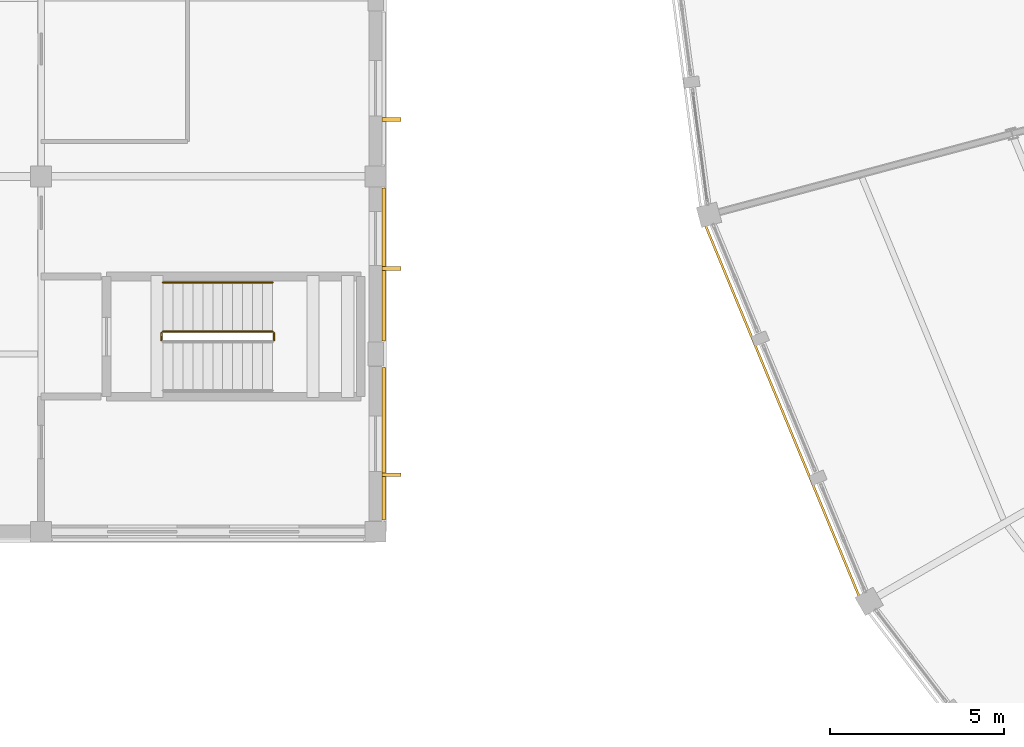
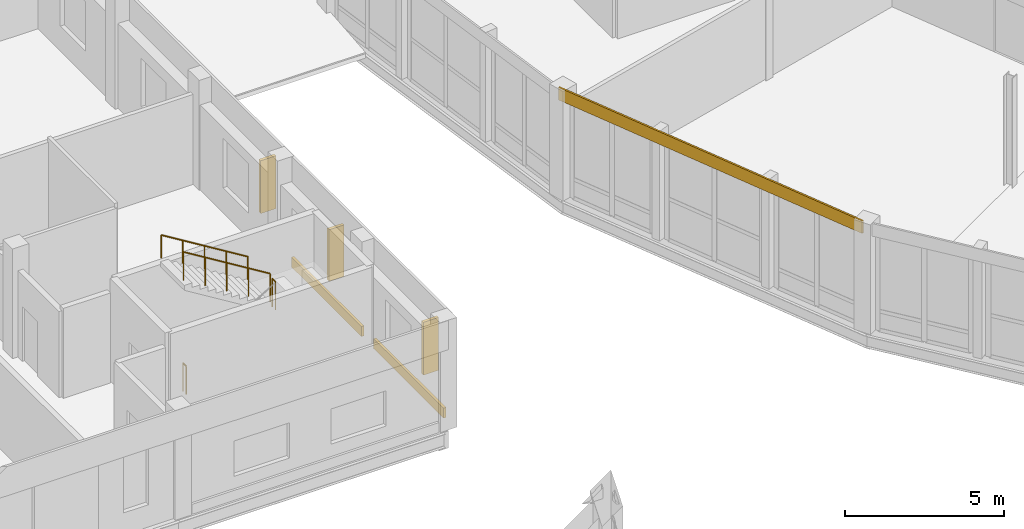
# One storey, part 157 of 170: 4 railings, 3 coverings, 3 shading devices.
"""IFC4 building model written with IfcOpenShell, lengths in metres."""

from ifc_helpers import new_model, si_unit, direction, frame, origin, origin_2d, place, context, subcontext, project, spatial, rectangle, circle, extrude, material, layer, layer_set, type_object, element, save


model = new_model("IFC4")

# Units and contexts
model_context = context("Model", 3, precision=1e-05, world=origin(), true_north=direction((0.0, 1.0)))
body_context = subcontext(model_context, "Body", "Model", "MODEL_VIEW")
ifc_project = project(units=[si_unit("LENGTHUNIT", "METRE"), si_unit("AREAUNIT", "SQUARE_METRE"), si_unit("VOLUMEUNIT", "CUBIC_METRE"), si_unit("PLANEANGLEUNIT", "RADIAN"), si_unit("MASSUNIT", "GRAM", prefix="KILO")], contexts=[model_context])

# Site, building, storey
site_placement = place(None, origin())
site = spatial("IfcSite", under=ifc_project, at=site_placement, CompositionType="ELEMENT")
building_placement = place(site_placement, origin())
building = spatial("IfcBuilding", under=site, at=building_placement, Name="Vondelvale Polytechnic", CompositionType="ELEMENT")
storey_placement = place(building_placement, frame((0.0, 0.0, 5.39990234375)))
storey = spatial("IfcBuildingStorey", under=building, at=storey_placement, Name="L01", CompositionType="ELEMENT", Elevation=5.39990234375)

# Coverings
ifc_material_1 = material(Name="Amsterdam School iron-spot clinker clay brickwork", Category="masonry")
ifc_layer_1 = layer(ifc_material_1, 0.090087890625)
ifc_layer_set_1 = layer_set([ifc_layer_1], Name="COV-BRICK-RELIEF")
covering_type_1 = type_object("IfcCoveringType", Name="COV-BRICK-RELIEF", PredefinedType="CLADDING", material=ifc_layer_set_1)
for number, where, z_axis, x_axis, name in (
    (1, (48.23095703125, 53.52490234375, 0.000244140625), (0.0, 0.0, 1.0), (0.0, -1.0, 0.0), "L01 exterior corbelled masonry relief band"),
    (2, (48.23095703125, 58.675048828125, 0.000244140625), (0.0, 0.0, 1.0), (0.0, -1.0, 0.0), "L01 exterior corbelled masonry relief band"),
):
    element("IfcCovering", number, at=place(storey_placement, frame(where, z_axis=z_axis, x_axis=x_axis)), inside=storey, type_object=covering_type_1, Name=name, PredefinedType="CLADDING", context=body_context, shape_type="SweptSolid", body=[
        extrude(rectangle(XDim=4.387939453125, YDim=0.090087890625, at=origin_2d()), origin(), (0.0, 0.0, 1.0), 0.3798828125),
    ])
ifc_material_2 = material(Name="Engineered Tasmanian oak studio and bridge joinery")
ifc_layer_2 = layer(ifc_material_2, 0.06494140625)
ifc_layer_set_2 = layer_set([ifc_layer_2], Name="COV-OAK-SPANDREL")
covering_type_2 = type_object("IfcCoveringType", Name="COV-OAK-SPANDREL", PredefinedType="CLADDING", material=ifc_layer_set_2)
covering_placement = place(storey_placement, frame((59.67041015625, 54.466552734375, 3.72021484375), z_axis=(0.0, 0.0, 1.0), x_axis=(0.382683432365, -0.923879532511, 0.0)))
element("IfcCovering", 3, at=covering_placement, inside=storey, type_object=covering_type_2, Name="L01 exterior masonry spandrel band", PredefinedType="CLADDING", context=body_context, shape_type="SweptSolid", body=[
    extrude(rectangle(XDim=12.00830078125, YDim=0.06494140625, at=origin_2d()), origin(), (0.0, 0.0, 1.0), 0.47998046875),
])

# Railings
ifc_material_3 = material(Name="Brushed architectural stainless and zinc-coated metal")
ifc_layer_3 = layer(ifc_material_3, 0.050048828125)
ifc_layer_set_3 = layer_set([ifc_layer_3], Name="RL-STAIR-GUARD")
railing_type_1 = type_object("IfcRailingType", Name="RL-STAIR-GUARD", PredefinedType="GUARDRAIL", material=ifc_layer_set_3)
railing_1_placement = place(storey_placement, frame((45.0849609375, 56.5, 2.10009765625)))
element("IfcRailing", 4, at=railing_1_placement, inside=storey, type_object=railing_type_1, Name="L01 ST-01 stair guard 2", PredefinedType="GUARDRAIL", context=body_context, shape_type="SweptSolid", body=[
    extrude(circle(Radius=0.02392578125, at=origin_2d()), frame((0.0, 0.0, 1.076171875), z_axis=(0.0, 1.0, 0.0), x_axis=(-1.0, 0.0, 0.0)), (0.0, 0.0, 1.0), 0.199951171875),
    extrude(circle(Radius=0.02099609375, at=origin_2d()), origin(), (0.0, 0.0, 1.0), 1.052001953125),
    extrude(circle(Radius=0.02099609375, at=origin_2d()), frame((0.0, 0.199951171875, 0.0)), (0.0, 0.0, 1.0), 1.052001953125),
])
railing_2_placement = place(storey_placement, frame((45.034912109375, 56.75, 2.275146484375)))
element("IfcRailing", 5, at=railing_2_placement, inside=storey, type_object=railing_type_1, Name="L01 ST-01 stair guard 3", PredefinedType="GUARDRAIL", context=body_context, shape_type="SweptSolid", body=[
    extrude(circle(Radius=0.02392578125, at=origin_2d()), frame((0.0, 0.0, 1.076171875), z_axis=(-0.852166034122, 0.0, 0.523271488128), x_axis=(0.0, -1.0, 0.0)), (0.0, 0.0, 1.0), 3.678955078125),
    extrude(circle(Radius=0.02099609375, at=origin_2d()), origin(), (0.0, 0.0, 1.0), 1.052001953125),
    extrude(circle(Radius=0.02099609375, at=origin_2d()), frame((-0.78369140625, 0.0, 0.481201171875)), (0.0, 0.0, 1.0), 1.052001953125),
    extrude(circle(Radius=0.02099609375, at=origin_2d()), frame((-1.5673828125, 0.0, 0.96240234375)), (0.0, 0.0, 1.0), 1.052001953125),
    extrude(circle(Radius=0.02099609375, at=origin_2d()), frame((-2.351318359375, 0.0, 1.44384765625)), (0.0, 0.0, 1.0), 1.052001953125),
    extrude(circle(Radius=0.02099609375, at=origin_2d()), frame((-3.135009765625, 0.0, 1.925048828125)), (0.0, 0.0, 1.0), 1.052001953125),
])
railing_3_placement = place(storey_placement, frame((41.85009765625, 56.5, 0.0)))
element("IfcRailing", 6, at=railing_3_placement, inside=storey, type_object=railing_type_1, Name="L01 ST-01 stair guard 4", PredefinedType="GUARDRAIL", context=body_context, shape_type="SweptSolid", body=[
    extrude(circle(Radius=0.02392578125, at=origin_2d()), frame((0.0, 0.0, 1.076171875), z_axis=(0.0, 1.0, 0.0), x_axis=(-1.0, 0.0, 0.0)), (0.0, 0.0, 1.0), 0.199951171875),
    extrude(circle(Radius=0.02099609375, at=origin_2d()), origin(), (0.0, 0.0, 1.0), 1.052001953125),
    extrude(circle(Radius=0.02099609375, at=origin_2d()), frame((0.0, 0.199951171875, 0.0)), (0.0, 0.0, 1.0), 1.052001953125),
])
ifc_layer_4 = layer(ifc_material_3, 0.048095703125)
ifc_layer_set_4 = layer_set([ifc_layer_4], Name="RL-STAIR-HANDRAIL")
railing_type_2 = type_object("IfcRailingType", Name="RL-STAIR-HANDRAIL", PredefinedType="HANDRAIL", material=ifc_layer_set_4)
railing_4_placement = place(storey_placement, frame((45.034912109375, 58.14990234375, 2.275146484375)))
element("IfcRailing", 7, at=railing_4_placement, inside=storey, type_object=railing_type_2, Name="L01 ST-01 stair handrail 2", PredefinedType="HANDRAIL", context=body_context, shape_type="SweptSolid", body=[
    extrude(circle(Radius=0.02392578125, at=origin_2d()), frame((0.0, 0.0, 0.8759765625), z_axis=(-0.852166034122, 0.0, 0.523271488128), x_axis=(0.0, -1.0, 0.0)), (0.0, 0.0, 1.0), 3.678955078125),
    extrude(circle(Radius=0.02099609375, at=origin_2d()), origin(), (0.0, 0.0, 1.0), 0.851806640625),
    extrude(circle(Radius=0.02099609375, at=origin_2d()), frame((-0.78369140625, 0.0, 0.481201171875)), (0.0, 0.0, 1.0), 0.851806640625),
    extrude(circle(Radius=0.02099609375, at=origin_2d()), frame((-1.5673828125, 0.0, 0.96240234375)), (0.0, 0.0, 1.0), 0.851806640625),
    extrude(circle(Radius=0.02099609375, at=origin_2d()), frame((-2.351318359375, 0.0, 1.44384765625)), (0.0, 0.0, 1.0), 0.851806640625),
    extrude(circle(Radius=0.02099609375, at=origin_2d()), frame((-3.135009765625, 0.0, 1.925048828125)), (0.0, 0.0, 1.0), 0.851806640625),
])

# Shading devices
ifc_material_4 = material(Name="Kiln-fired architectural terracotta", Category="masonry")
shading_device_type = type_object("IfcShadingDeviceType", Name="SHD-TERRA-FIN-550", PredefinedType="JALOUSIE", material=ifc_material_4)
shading_device_1_placement = place(storey_placement, frame((48.449951171875, 52.635009765625, 0.89013671875), z_axis=(0.0, 0.0, 1.0), x_axis=(0.0, -1.0, 0.0)))
element("IfcShadingDevice", 8, at=shading_device_1_placement, inside=storey, type_object=shading_device_type, Name="L01 vertical terracotta solar fin", PredefinedType="JALOUSIE", context=body_context, shape_type="SweptSolid", body=[
    extrude(rectangle(XDim=0.110107421875, YDim=0.550048828125, at=origin_2d()), origin(), (0.0, 0.0, 1.0), 2.02001953125),
])
shading_device_2_placement = place(storey_placement, frame((48.449951171875, 58.554931640625, 0.89013671875), z_axis=(0.0, 0.0, 1.0), x_axis=(0.0, -1.0, 0.0)))
element("IfcShadingDevice", 9, at=shading_device_2_placement, inside=storey, type_object=shading_device_type, Name="L01 vertical terracotta solar fin", PredefinedType="JALOUSIE", context=body_context, shape_type="SweptSolid", body=[
    extrude(rectangle(XDim=0.110107421875, YDim=0.550048828125, at=origin_2d()), origin(), (0.0, 0.0, 1.0), 1.969970703125),
])
shading_device_3_placement = place(storey_placement, frame((48.449951171875, 62.8349609375, 0.89013671875), z_axis=(0.0, 0.0, 1.0), x_axis=(0.0, -1.0, 0.0)))
element("IfcShadingDevice", 10, at=shading_device_3_placement, inside=storey, type_object=shading_device_type, Name="L01 vertical terracotta solar fin", PredefinedType="JALOUSIE", context=body_context, shape_type="SweptSolid", body=[
    extrude(rectangle(XDim=0.110107421875, YDim=0.550048828125, at=origin_2d()), origin(), (0.0, 0.0, 1.0), 2.02001953125),
])

save(model, "model.ifc")
